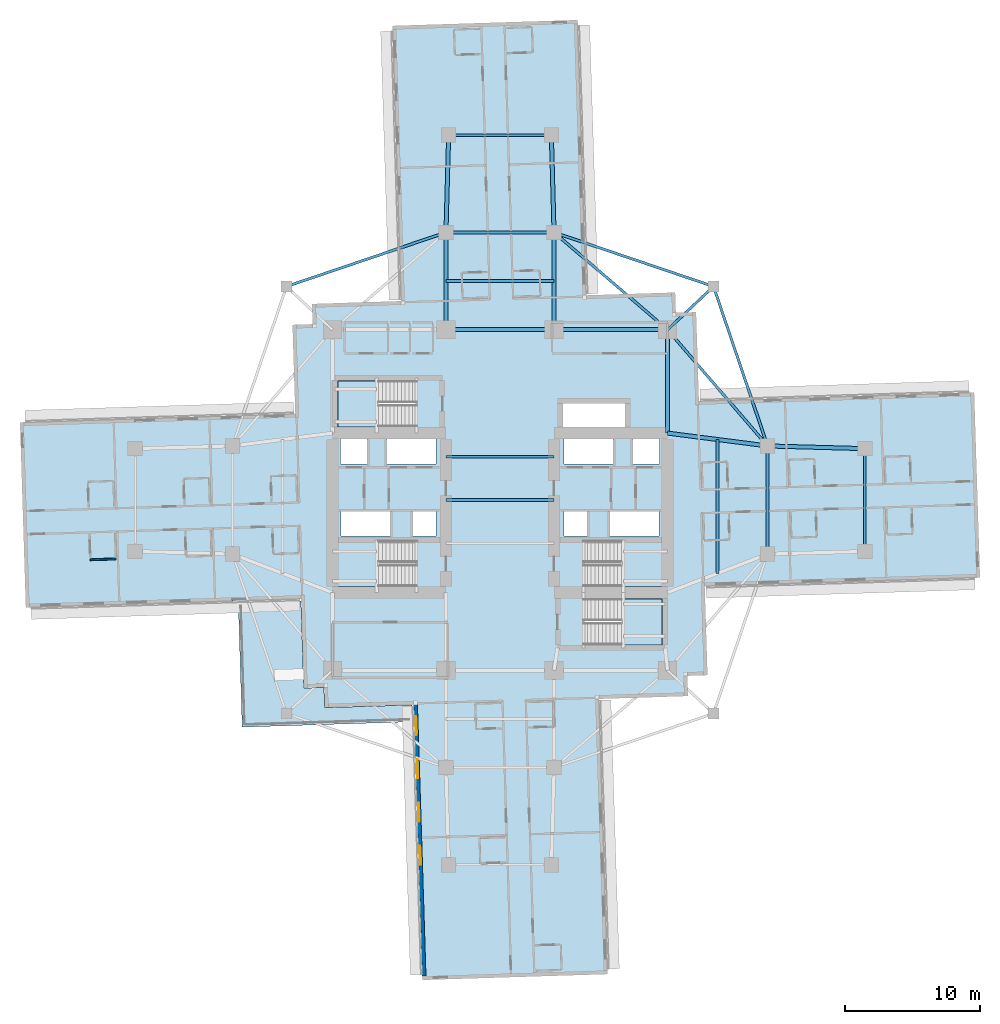
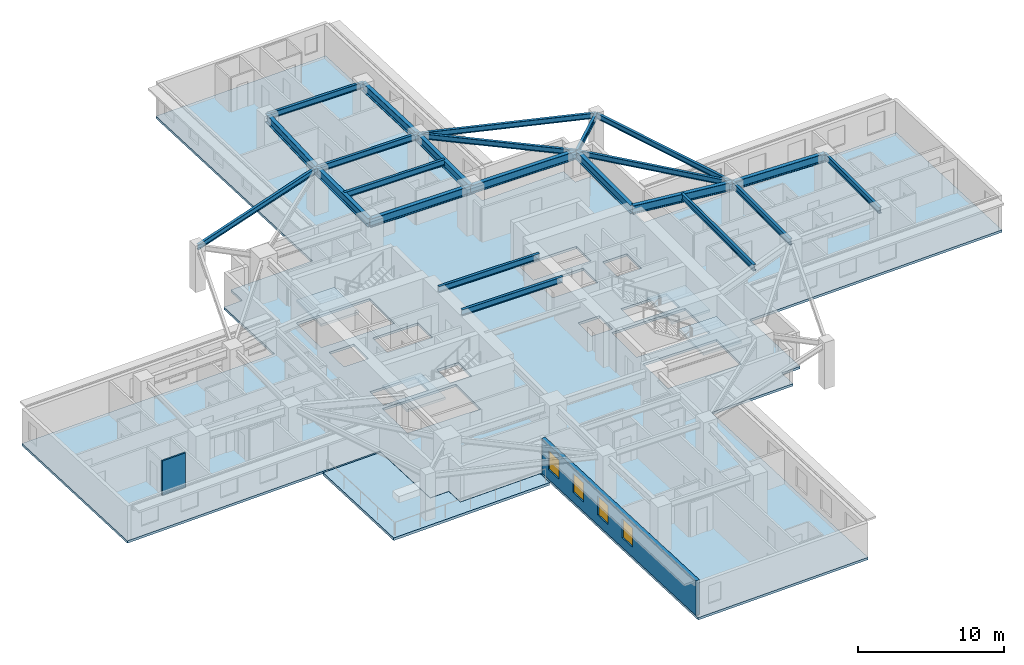
# One storey, part 2 of 14: 23 beams, 6 slabs, 4 windows, 2 walls, 4 openings, 4 elements without a shape of their own.
"""IFC4 building model written with IfcOpenShell, lengths in metres."""

from ifc_helpers import new_model, si_unit, direction, frame, frame_2d, origin, origin_2d, place, context, subcontext, project, spatial, polyline, rectangle, i_section, outline, extrude, material, layer, layer_set, material_profile, profile_set, type_object, element, fill, aggregate, save


model = new_model("IFC4")

# Units and contexts
model_context = context("Model", 3, precision=1e-05, world=origin(), true_north=direction((0.0, 1.0)))
body_context = subcontext(model_context, "Body", "Model", "MODEL_VIEW")
ifc_project = project(units=[si_unit("LENGTHUNIT", "METRE"), si_unit("AREAUNIT", "SQUARE_METRE"), si_unit("VOLUMEUNIT", "CUBIC_METRE"), si_unit("PLANEANGLEUNIT", "RADIAN"), si_unit("MASSUNIT", "GRAM", prefix="KILO")], contexts=[model_context])

# Site, building, storey
site_placement = place(None, origin())
site = spatial("IfcSite", under=ifc_project, at=site_placement, CompositionType="ELEMENT")
building_placement = place(site_placement, origin())
building = spatial("IfcBuilding", under=site, at=building_placement, Name="Qingluan Cross Belvedere", CompositionType="ELEMENT")
storey_placement = place(building_placement, frame((0.0, 0.0, 56.10009765625)))
storey = spatial("IfcBuildingStorey", under=building, at=storey_placement, Name="L14", CompositionType="ELEMENT", Elevation=56.10009765625)

# Beams
ifc_material_1 = material(Name="Steel Q420GJB", Category="steel")
ifc_material_profile_1 = material_profile(ifc_material_1, i_section(OverallWidth=0.199951171875, OverallDepth=0.449951171875, WebThickness=0.009033203125, FlangeThickness=0.013916015625, FilletRadius=0.01611328125, at=origin_2d()), Name="HN450x200x9x14")
ifc_profile_set_1 = profile_set([ifc_material_profile_1], Name="Steel Q420GJB")
beam_type_1 = type_object("IfcBeamType", Name="Steel_Beam_HN450x200x9x14", PredefinedType="JOIST", material=ifc_profile_set_1)
beam_1_placement = place(storey_placement, frame((12.39990234375, 12.60009765625, 3.474853515625), z_axis=(0.728219948308, 0.685343495546, 0.0), x_axis=(-0.685343495546, 0.728219948308, 0.0)))
element("IfcBeam", 1, at=beam_1_placement, inside=storey, type_object=beam_type_1, Name="Corner beam 1 L14-RNE", PredefinedType="JOIST", context=body_context, shape_type="SweptSolid", body=[
    extrude(i_section(OverallWidth=0.199951171875, OverallDepth=0.449951171875, WebThickness=0.009033203125, FlangeThickness=0.013916015625, FilletRadius=0.01611328125, at=origin_2d()), origin(), (0.0, 0.0, 1.0), 4.669189453125),
])
for number, where, z_axis, x_axis, name in (
    (2, (15.800048828125, 15.800048828125, 3.474853515625), (-0.947066283324, 0.321038089628, 0.0), (-0.321038089628, -0.947066283324, 0.0), "Corner beam 2 L14-RNE"),
    (3, (15.800048828125, 15.800048828125, 3.474853515625), (0.321038089628, -0.947066283324, 0.0), (0.947066283324, 0.321038089628, 0.0), "Corner beam 3 L14-RNE"),
):
    element("IfcBeam", number, at=place(storey_placement, frame(where, z_axis=z_axis, x_axis=x_axis)), inside=storey, type_object=beam_type_1, Name=name, PredefinedType="JOIST", context=body_context, shape_type="SweptSolid", body=[
        extrude(i_section(OverallWidth=0.199951171875, OverallDepth=0.449951171875, WebThickness=0.009033203125, FlangeThickness=0.013916015625, FilletRadius=0.01611328125, at=origin_2d()), origin(), (0.0, 0.0, 1.0), 12.45947265625),
    ])
beam_2_placement = place(storey_placement, frame((12.39990234375, 12.60009765625, 3.474853515625), z_axis=(0.652245077546, -0.75800815221, 0.0), x_axis=(0.75800815221, 0.652245077546, 0.0)))
element("IfcBeam", 4, at=beam_2_placement, inside=storey, type_object=beam_type_1, Name="Corner beam 4 L14-RNE", PredefinedType="JOIST", context=body_context, shape_type="SweptSolid", body=[
    extrude(i_section(OverallWidth=0.199951171875, OverallDepth=0.449951171875, WebThickness=0.009033203125, FlangeThickness=0.013916015625, FilletRadius=0.01611328125, at=origin_2d()), origin(), (0.0, 0.0, 1.0), 11.345703125),
])
beam_3_placement = place(storey_placement, frame((12.39990234375, 12.60009765625, 3.474853515625), z_axis=(-0.759255044656, 0.650793190779, 0.0), x_axis=(-0.650793190779, -0.759255044656, 0.0)))
element("IfcBeam", 5, at=beam_3_placement, inside=storey, type_object=beam_type_1, Name="Corner beam 5 L14-RNE", PredefinedType="JOIST", context=body_context, shape_type="SweptSolid", body=[
    extrude(i_section(OverallWidth=0.199951171875, OverallDepth=0.449951171875, WebThickness=0.009033203125, FlangeThickness=0.013916015625, FilletRadius=0.01611328125, at=origin_2d()), origin(), (0.0, 0.0, 1.0), 11.063232421875),
])
beam_4_placement = place(storey_placement, frame((-15.800048828125, 15.800048828125, 3.474853515625), z_axis=(0.947066283324, 0.321038089628, 0.0), x_axis=(-0.321038089628, 0.947066283324, 0.0)))
element("IfcBeam", 6, at=beam_4_placement, inside=storey, type_object=beam_type_1, Name="Corner beam 2 L14-RNW", PredefinedType="JOIST", context=body_context, shape_type="SweptSolid", body=[
    extrude(i_section(OverallWidth=0.199951171875, OverallDepth=0.449951171875, WebThickness=0.009033203125, FlangeThickness=0.013916015625, FilletRadius=0.01611328125, at=origin_2d()), origin(), (0.0, 0.0, 1.0), 12.45947265625),
])
ifc_material_2 = material(Name="Steel Q420GJB", Category="steel")
ifc_material_profile_2 = material_profile(ifc_material_2, i_section(OverallWidth=0.199951171875, OverallDepth=0.5, WebThickness=0.010009765625, FlangeThickness=0.01611328125, FilletRadius=0.01611328125, at=origin_2d()), Name="HN500x200x10x16")
ifc_profile_set_2 = profile_set([ifc_material_profile_2], Name="Steel Q420GJB")
beam_type_2 = type_object("IfcBeamType", Name="Steel_Beam_HN500x200x10x16", PredefinedType="JOIST", material=ifc_profile_set_2)
for number, where, z_axis, x_axis, name in (
    (7, (-4.0, 0.0, 3.449951171875), (1.0, 0.0, 0.0), (0.0, 1.0, 0.0), "Hall beam L14-CH2"),
    (8, (-4.0, 3.199951171875, 3.449951171875), (1.0, 0.0, 0.0), (0.0, 1.0, 0.0), "Hall beam L14-CH3"),
    (9, (19.800048828125, -4.0, 3.449951171875), (0.0, 1.0, 0.0), (-1.0, 0.0, 0.0), "Arm E tie L14"),
):
    element("IfcBeam", number, at=place(storey_placement, frame(where, z_axis=z_axis, x_axis=x_axis)), inside=storey, type_object=beam_type_2, Name=name, PredefinedType="JOIST", context=body_context, shape_type="SweptSolid", body=[
        extrude(i_section(OverallWidth=0.199951171875, OverallDepth=0.5, WebThickness=0.010009765625, FlangeThickness=0.01611328125, FilletRadius=0.01611328125, at=origin_2d()), origin(), (0.0, 0.0, 1.0), 8.0),
    ])
beam_5_placement = place(storey_placement, frame((16.10009765625, -5.425048828125, 3.449951171875), z_axis=(0.0, 1.0, 0.0), x_axis=(-1.0, 0.0, 0.0)))
element("IfcBeam", 10, at=beam_5_placement, inside=storey, type_object=beam_type_2, Name="Arm E beam L14", PredefinedType="JOIST", context=body_context, shape_type="SweptSolid", body=[
    extrude(i_section(OverallWidth=0.199951171875, OverallDepth=0.5, WebThickness=0.010009765625, FlangeThickness=0.01611328125, FilletRadius=0.01611328125, at=origin_2d()), origin(), (0.0, 0.0, 1.0), 9.900146484375),
])
beam_6_placement = place(storey_placement, frame((27.0, -3.800048828125, 3.449951171875), z_axis=(0.0, 1.0, 0.0), x_axis=(-1.0, 0.0, 0.0)))
element("IfcBeam", 11, at=beam_6_placement, inside=storey, type_object=beam_type_2, Name="Arm E tip transverse beam L14", PredefinedType="JOIST", context=body_context, shape_type="SweptSolid", body=[
    extrude(i_section(OverallWidth=0.199951171875, OverallDepth=0.5, WebThickness=0.010009765625, FlangeThickness=0.01611328125, FilletRadius=0.01611328125, at=origin_2d()), origin(), (0.0, 0.0, 1.0), 7.60009765625),
])
for number, where, z_axis, x_axis, name in (
    (12, (-4.0, 19.800048828125, 3.449951171875), (1.0, 0.0, 0.0), (0.0, 1.0, 0.0), "Arm N tie L14"),
    (13, (-4.0, 16.199951171875, 3.449951171875), (1.0, 0.0, 0.0), (0.0, 1.0, 0.0), "Arm N beam L14"),
):
    element("IfcBeam", number, at=place(storey_placement, frame(where, z_axis=z_axis, x_axis=x_axis)), inside=storey, type_object=beam_type_2, Name=name, PredefinedType="JOIST", context=body_context, shape_type="SweptSolid", body=[
        extrude(i_section(OverallWidth=0.199951171875, OverallDepth=0.5, WebThickness=0.010009765625, FlangeThickness=0.01611328125, FilletRadius=0.01611328125, at=origin_2d()), origin(), (0.0, 0.0, 1.0), 8.0),
    ])
beam_7_placement = place(storey_placement, frame((-3.800048828125, 27.0, 3.449951171875), z_axis=(1.0, 0.0, 0.0), x_axis=(0.0, 1.0, 0.0)))
element("IfcBeam", 14, at=beam_7_placement, inside=storey, type_object=beam_type_2, Name="Arm N tip transverse beam L14", PredefinedType="JOIST", context=body_context, shape_type="SweptSolid", body=[
    extrude(i_section(OverallWidth=0.199951171875, OverallDepth=0.5, WebThickness=0.010009765625, FlangeThickness=0.01611328125, FilletRadius=0.01611328125, at=origin_2d()), origin(), (0.0, 0.0, 1.0), 7.60009765625),
])
ifc_material_3 = material(Name="Steel Q420GJB", Category="steel")
ifc_material_profile_3 = material_profile(ifc_material_3, i_section(OverallWidth=0.300048828125, OverallDepth=0.699951171875, WebThickness=0.014892578125, FlangeThickness=0.027099609375, FilletRadius=0.027099609375, at=origin_2d()), Name="HEB700")
ifc_profile_set_3 = profile_set([ifc_material_profile_3], Name="Steel Q420GJB")
beam_type_3 = type_object("IfcBeamType", Name="Steel_Girder_HEB700", PredefinedType="USERDEFINED", material=ifc_profile_set_3)
beam_8_placement = place(storey_placement, frame((-4.0, 12.60009765625, 3.349853515625), z_axis=(1.0, 0.0, 0.0), x_axis=(0.0, 1.0, 0.0)))
element("IfcBeam", 15, at=beam_8_placement, inside=storey, type_object=beam_type_3, Name="Hub girder L14-HG-N2", ObjectType="GIRDER", PredefinedType="USERDEFINED", context=body_context, shape_type="SweptSolid", body=[
    extrude(i_section(OverallWidth=0.300048828125, OverallDepth=0.699951171875, WebThickness=0.014892578125, FlangeThickness=0.027099609375, FilletRadius=0.027099609375, at=origin_2d()), origin(), (0.0, 0.0, 1.0), 8.0),
])
beam_9_placement = place(storey_placement, frame((4.0, 12.60009765625, 3.349853515625), z_axis=(1.0, 0.0, 0.0), x_axis=(0.0, 1.0, 0.0)))
element("IfcBeam", 16, at=beam_9_placement, inside=storey, type_object=beam_type_3, Name="Hub girder L14-HG-N3", ObjectType="GIRDER", PredefinedType="USERDEFINED", context=body_context, shape_type="SweptSolid", body=[
    extrude(i_section(OverallWidth=0.300048828125, OverallDepth=0.699951171875, WebThickness=0.014892578125, FlangeThickness=0.027099609375, FilletRadius=0.027099609375, at=origin_2d()), origin(), (0.0, 0.0, 1.0), 8.39990234375),
])
beam_10_placement = place(storey_placement, frame((12.39990234375, 4.949951171875, 3.349853515625), z_axis=(0.0, 1.0, 0.0), x_axis=(-1.0, 0.0, 0.0)))
element("IfcBeam", 17, at=beam_10_placement, inside=storey, type_object=beam_type_3, Name="Hub girder L14-HG-E2", ObjectType="GIRDER", PredefinedType="USERDEFINED", context=body_context, shape_type="SweptSolid", body=[
    extrude(i_section(OverallWidth=0.300048828125, OverallDepth=0.699951171875, WebThickness=0.014892578125, FlangeThickness=0.027099609375, FilletRadius=0.027099609375, at=origin_2d()), origin(), (0.0, 0.0, 1.0), 7.650146484375),
])
beam_11_placement = place(storey_placement, frame((12.39990234375, 4.949951171875, 3.349853515625), z_axis=(0.991861120628, -0.12732445714, 0.0), x_axis=(0.12732445714, 0.991861120628, 0.0)))
element("IfcBeam", 18, at=beam_11_placement, inside=storey, type_object=beam_type_3, Name="Arm E radial girder B L14", ObjectType="GIRDER", PredefinedType="USERDEFINED", context=body_context, shape_type="SweptSolid", body=[
    extrude(i_section(OverallWidth=0.300048828125, OverallDepth=0.699951171875, WebThickness=0.014892578125, FlangeThickness=0.027099609375, FilletRadius=0.027099609375, at=origin_2d()), origin(), (0.0, 0.0, 1.0), 7.4609375),
])
beam_12_placement = place(storey_placement, frame((19.800048828125, 4.0, 3.349853515625), z_axis=(0.999614603568, -0.027760481514, 0.0), x_axis=(0.027760481514, 0.999614603568, 0.0)))
element("IfcBeam", 19, at=beam_12_placement, inside=storey, type_object=beam_type_3, Name="Arm E outer radial girder B L14", ObjectType="GIRDER", PredefinedType="USERDEFINED", context=body_context, shape_type="SweptSolid", body=[
    extrude(i_section(OverallWidth=0.300048828125, OverallDepth=0.699951171875, WebThickness=0.014892578125, FlangeThickness=0.027099609375, FilletRadius=0.027099609375, at=origin_2d()), origin(), (0.0, 0.0, 1.0), 7.20263671875),
])
for number, where, z_axis, x_axis, name in (
    (20, (-4.0, 12.60009765625, 3.349853515625), (0.0, 1.0, 0.0), (-1.0, 0.0, 0.0), "Arm N radial girder A L14"),
    (21, (4.0, 12.60009765625, 3.349853515625), (0.0, 1.0, 0.0), (-1.0, 0.0, 0.0), "Arm N radial girder B L14"),
):
    element("IfcBeam", number, at=place(storey_placement, frame(where, z_axis=z_axis, x_axis=x_axis)), inside=storey, type_object=beam_type_3, Name=name, ObjectType="GIRDER", PredefinedType="USERDEFINED", context=body_context, shape_type="SweptSolid", body=[
        extrude(i_section(OverallWidth=0.300048828125, OverallDepth=0.699951171875, WebThickness=0.014892578125, FlangeThickness=0.027099609375, FilletRadius=0.027099609375, at=origin_2d()), origin(), (0.0, 0.0, 1.0), 7.199951171875),
    ])
for number, where, z_axis, x_axis, name in (
    (22, (-4.0, 19.800048828125, 3.349853515625), (0.027760481514, 0.999614603568, 0.0), (-0.999614603568, 0.027760481514, 0.0), "Arm N outer radial girder A L14"),
    (23, (4.0, 19.800048828125, 3.349853515625), (-0.027760481514, 0.999614603568, 0.0), (-0.999614603568, -0.027760481514, 0.0), "Arm N outer radial girder B L14"),
):
    element("IfcBeam", number, at=place(storey_placement, frame(where, z_axis=z_axis, x_axis=x_axis)), inside=storey, type_object=beam_type_3, Name=name, ObjectType="GIRDER", PredefinedType="USERDEFINED", context=body_context, shape_type="SweptSolid", body=[
        extrude(i_section(OverallWidth=0.300048828125, OverallDepth=0.699951171875, WebThickness=0.014892578125, FlangeThickness=0.027099609375, FilletRadius=0.027099609375, at=origin_2d()), origin(), (0.0, 0.0, 1.0), 7.20263671875),
    ])

# Slab
ifc_material_4 = material(Name="Concrete C40", Category="concrete")
ifc_layer_1 = layer(ifc_material_4, 0.199951171875, Name="FloorSlab_200")
ifc_layer_set_1 = layer_set([ifc_layer_1], Name="Concrete C40")
slab_type_1 = type_object("IfcSlabType", Name="FloorSlab_200", PredefinedType="FLOOR", material=ifc_layer_set_1)
slab_1_placement = place(storey_placement, frame((0.0, 0.0, -0.2001953125)))
element("IfcSlab", 24, at=slab_1_placement, inside=storey, type_object=slab_type_1, Name="Structural floor slab L14", PredefinedType="FLOOR", context=body_context, shape_type="SweptSolid", body=[
    extrude(outline(polyline([(7.966064453125, -35.087158203125), (7.325927734375, -14.71728515625), (13.902587890625, -14.510498046875), (13.85546875, -13.01123046875), (15.354736328125, -12.964111328125), (15.148193359375, -6.38720703125), (35.51806640625, -5.747314453125), (35.087158203125, 7.966064453125), (14.71728515625, 7.325927734375), (14.510498046875, 13.902587890625), (13.01123046875, 13.85546875), (12.964111328125, 15.354736328125), (6.38720703125, 15.148193359375), (5.747314453125, 35.51806640625), (-7.966064453125, 35.087158203125), (-7.325927734375, 14.71728515625), (-13.902587890625, 14.510498046875), (-13.85546875, 13.01123046875), (-15.354736328125, 12.964111328125), (-15.148193359375, 6.38720703125), (-35.51806640625, 5.747314453125), (-35.087158203125, -7.966064453125), (-14.71728515625, -7.325927734375), (-14.510498046875, -13.902587890625), (-13.01123046875, -13.85546875), (-12.964111328125, -15.354736328125), (-6.38720703125, -15.148193359375), (-5.747314453125, -35.51806640625), (7.966064453125, -35.087158203125)]), holes=[polyline([(-12.0, -3.0), (-6.179931640625, -3.0), (-6.179931640625, -6.39990234375), (-12.0, -6.39990234375), (-12.0, -3.0)]), polyline([(6.179931640625, -3.0), (12.0, -3.0), (12.0, -6.39990234375), (6.179931640625, -6.39990234375), (6.179931640625, -3.0)]), polyline([(-12.0, 8.820068359375), (-6.179931640625, 8.820068359375), (-6.179931640625, 5.419921875), (-12.0, 5.419921875), (-12.0, 8.820068359375)]), polyline([(6.179931640625, -7.320068359375), (12.0, -7.320068359375), (12.0, -10.719970703125), (6.179931640625, -10.719970703125), (6.179931640625, -7.320068359375)]), polyline([(-11.800048828125, 4.64990234375), (-9.85009765625, 4.64990234375), (-9.85009765625, 2.64990234375), (-11.800048828125, 2.64990234375), (-11.800048828125, 4.64990234375)]), polyline([(-8.35009765625, 4.64990234375), (-4.75, 4.64990234375), (-4.75, 2.64990234375), (-8.35009765625, 2.64990234375), (-8.35009765625, 4.64990234375)]), polyline([(4.75, 4.64990234375), (8.35009765625, 4.64990234375), (8.35009765625, 2.64990234375), (4.75, 2.64990234375), (4.75, 4.64990234375)]), polyline([(9.85009765625, 4.64990234375), (11.800048828125, 4.64990234375), (11.800048828125, 2.64990234375), (9.85009765625, 2.64990234375), (9.85009765625, 4.64990234375)]), polyline([(-11.75, -0.840087890625), (-8.14990234375, -0.840087890625), (-8.14990234375, -2.659912109375), (-11.75, -2.659912109375), (-11.75, -0.840087890625)]), polyline([(-6.449951171875, -0.840087890625), (-4.75, -0.840087890625), (-4.75, -2.659912109375), (-6.449951171875, -2.659912109375), (-6.449951171875, -0.840087890625)]), polyline([(4.75, -0.840087890625), (6.449951171875, -0.840087890625), (6.449951171875, -2.659912109375), (4.75, -2.659912109375), (4.75, -0.840087890625)]), polyline([(8.14990234375, -0.840087890625), (11.75, -0.840087890625), (11.75, -2.659912109375), (8.14990234375, -2.659912109375), (8.14990234375, -0.840087890625)]), polyline([(4.64990234375, 7.14990234375), (9.25, 7.14990234375), (9.25, 5.14990234375), (4.64990234375, 5.14990234375), (4.64990234375, 7.14990234375)])]), origin(), (0.0, 0.0, 1.0), 0.2001953125),
])

# Stair, slab
ifc_material_5 = material(Name="Concrete C40", Category="concrete")
stair_type = type_object("IfcStairType", Name="CoreDoglegStair_1620", PredefinedType="HALF_TURN_STAIR", material=ifc_material_5)
stair_1_placement = place(storey_placement, origin())
stair_1 = element("IfcStair", 25, at=stair_1_placement, inside=storey, type_object=stair_type, Name="L14 ST1", PredefinedType="HALF_TURN_STAIR")
ifc_material_6 = material(Name="Concrete C40", Category="concrete")
ifc_layer_2 = layer(ifc_material_6, 0.179931640625, Name="StairLandingSlab_180")
ifc_layer_set_2 = layer_set([ifc_layer_2], Name="Concrete C40")
slab_type_2 = type_object("IfcSlabType", Name="StairLandingSlab_180", PredefinedType="LANDING", material=ifc_layer_set_2)
slab_2_placement = place(storey_placement, frame((0.0, 0.0, 1.75)))
slab_2 = element("IfcSlab", 26, at=slab_2_placement, type_object=slab_type_2, Name="ST1 landing 1", PredefinedType="LANDING", context=body_context, shape_type="SweptSolid", body=[
    extrude(outline(polyline([(-8.97998046875, -3.0), (-12.0, -3.0), (-12.0, -6.39990234375), (-8.97998046875, -6.39990234375), (-8.97998046875, -3.0)])), origin(), (0.0, 0.0, 1.0), 0.199951171875),
])
aggregate(stair_1, [slab_2])

stair_2_placement = place(storey_placement, origin())
stair_2 = element("IfcStair", 27, at=stair_2_placement, inside=storey, type_object=stair_type, Name="L14 ST2", PredefinedType="HALF_TURN_STAIR")
slab_3_placement = place(storey_placement, frame((0.0, 0.0, 1.75)))
slab_3 = element("IfcSlab", 28, at=slab_3_placement, type_object=slab_type_2, Name="ST2 landing 1", PredefinedType="LANDING", context=body_context, shape_type="SweptSolid", body=[
    extrude(outline(polyline([(8.97998046875, -6.39990234375), (12.0, -6.39990234375), (12.0, -3.0), (8.97998046875, -3.0), (8.97998046875, -6.39990234375)])), origin(), (0.0, 0.0, 1.0), 0.199951171875),
])
aggregate(stair_2, [slab_3])

stair_3_placement = place(storey_placement, origin())
stair_3 = element("IfcStair", 29, at=stair_3_placement, inside=storey, type_object=stair_type, Name="L14 ST3", PredefinedType="HALF_TURN_STAIR")
slab_4_placement = place(storey_placement, frame((0.0, 0.0, 1.75)))
slab_4 = element("IfcSlab", 30, at=slab_4_placement, type_object=slab_type_2, Name="ST3 landing 1", PredefinedType="LANDING", context=body_context, shape_type="SweptSolid", body=[
    extrude(outline(polyline([(-8.97998046875, 8.820068359375), (-12.0, 8.820068359375), (-12.0, 5.419921875), (-8.97998046875, 5.419921875), (-8.97998046875, 8.820068359375)])), origin(), (0.0, 0.0, 1.0), 0.199951171875),
])
aggregate(stair_3, [slab_4])

stair_4_placement = place(storey_placement, origin())
stair_4 = element("IfcStair", 31, at=stair_4_placement, inside=storey, type_object=stair_type, Name="L14 ST4", PredefinedType="HALF_TURN_STAIR")
slab_5_placement = place(storey_placement, frame((0.0, 0.0, 1.75)))
slab_5 = element("IfcSlab", 32, at=slab_5_placement, type_object=slab_type_2, Name="ST4 landing 1", PredefinedType="LANDING", context=body_context, shape_type="SweptSolid", body=[
    extrude(outline(polyline([(8.97998046875, -10.719970703125), (12.0, -10.719970703125), (12.0, -7.320068359375), (8.97998046875, -7.320068359375), (8.97998046875, -10.719970703125)])), origin(), (0.0, 0.0, 1.0), 0.199951171875),
])
aggregate(stair_4, [slab_5])

# Slab
ifc_material_7 = material(Name="Concrete C40", Category="concrete")
ifc_layer_3 = layer(ifc_material_7, 0.219970703125, Name="TerraceSlab_220")
ifc_layer_set_3 = layer_set([ifc_layer_3], Name="Concrete C40")
slab_type_3 = type_object("IfcSlabType", Name="TerraceSlab_220", PredefinedType="FLOOR", material=ifc_layer_set_3)
slab_6_placement = place(storey_placement, frame((0.0, 0.0, -0.22021484375)))
element("IfcSlab", 33, at=slab_6_placement, inside=storey, type_object=slab_type_3, Name="Spiralling winter-garden terrace slab L14", PredefinedType="FLOOR", context=body_context, shape_type="SweptSolid", body=[
    extrude(outline(polyline([(-6.527099609375, -15.16259765625), (-12.969482421875, -15.36328125), (-13.02099609375, -13.86572265625), (-14.51025390625, -13.91259765625), (-14.520263671875, -13.90478515625), (-14.72265625, -7.466064453125), (-19.37060546875, -7.6123046875), (-19.08154296875, -16.8076171875), (-6.48779296875, -16.411865234375), (-6.527099609375, -15.16259765625)])), origin(), (0.0, 0.0, 1.0), 0.22021484375),
])

# Wall
ifc_material_8 = material(Name="Moisture-resistant gypsum board lining")
ifc_layer_4 = layer(ifc_material_8, 0.1201171875, Name="EnsuiteWetPartition_120")
ifc_layer_set_4 = layer_set([ifc_layer_4], Name="Moisture-resistant gypsum board lining")
wall_type_1 = type_object("IfcWallType", Name="EnsuiteWetPartition_120", PredefinedType="PARTITIONING", material=ifc_layer_set_4)
wall_1_placement = place(storey_placement, frame((-28.427001953125, -4.360107421875, 0.0), z_axis=(0.0, 0.0, 1.0), x_axis=(-0.999506103526, -0.031425292588, 0.0)))
element("IfcWall", 34, at=wall_1_placement, inside=storey, type_object=wall_type_1, Name="Partition L14:W:bc1_2", PredefinedType="PARTITIONING", context=body_context, shape_type="SweptSolid", body=[
    extrude(rectangle(XDim=1.880126953125, YDim=0.1201171875, at=frame_2d((0.93994140625, 0.0))), origin(), (0.0, 0.0, 1.0), 2.89990234375),
])

# Wall, openings, windows
ifc_material_9 = material(Name="Precast concrete C45", Category="concrete")
ifc_layer_5 = layer(ifc_material_9, 0.280029296875, Name="PrecastFacadeWall_280")
ifc_layer_set_5 = layer_set([ifc_layer_5], Name="Precast concrete C45")
wall_type_2 = type_object("IfcWallType", Name="PrecastFacadeWall_280", PredefinedType="STANDARD", material=ifc_layer_set_5)
wall_2_placement = place(storey_placement, frame((-6.247314453125, -15.143798828125, 0.0), z_axis=(0.0, 0.0, 1.0), x_axis=(0.031398187845, -0.999506955354, 0.0)))
wall_2 = element("IfcWall", 35, at=wall_2_placement, inside=storey, type_object=wall_type_2, Name="Facade wall L14-SA", PredefinedType="STANDARD", context=body_context, shape_type="SweptSolid", body=[
    extrude(rectangle(XDim=20.10009765625, YDim=0.280029296875, at=frame_2d((10.050048828125, 0.0))), origin(), (0.0, 0.0, 1.0), 2.909912109375),
])
opening_1_placement = place(wall_2_placement, frame((0.85009765625, 0.0, 0.800048828125)))
opening_1 = element("IfcOpeningElement", 36, at=opening_1_placement, cuts=wall_2, Name="Opening W-01", PredefinedType="OPENING", context=body_context, shape_type="SweptSolid", body=[
    extrude(rectangle(XDim=1.39990234375, YDim=1.60009765625, at=frame_2d((0.699951171875, 0.800048828125))), frame((0.0, 0.14990234375, 0.0), z_axis=(0.0, -1.0, 0.0), x_axis=(1.0, 0.0, 0.0)), (0.0, 0.0, 1.0), 0.300048828125),
])
opening_2_placement = place(wall_2_placement, frame((4.050048828125, 0.0, 0.800048828125)))
opening_2 = element("IfcOpeningElement", 37, at=opening_2_placement, cuts=wall_2, Name="Opening W-01", PredefinedType="OPENING", context=body_context, shape_type="SweptSolid", body=[
    extrude(rectangle(XDim=1.39990234375, YDim=1.60009765625, at=frame_2d((0.699951171875, 0.800048828125))), frame((0.0, 0.14990234375, 0.0), z_axis=(0.0, -1.0, 0.0), x_axis=(1.0, 0.0, 0.0)), (0.0, 0.0, 1.0), 0.300048828125),
])
opening_3_placement = place(wall_2_placement, frame((7.25, 0.0, 0.800048828125)))
opening_3 = element("IfcOpeningElement", 38, at=opening_3_placement, cuts=wall_2, Name="Opening W-01", PredefinedType="OPENING", context=body_context, shape_type="SweptSolid", body=[
    extrude(rectangle(XDim=1.39990234375, YDim=1.60009765625, at=frame_2d((0.699951171875, 0.800048828125))), frame((0.0, 0.14990234375, 0.0), z_axis=(0.0, -1.0, 0.0), x_axis=(1.0, 0.0, 0.0)), (0.0, 0.0, 1.0), 0.300048828125),
])
opening_4_placement = place(wall_2_placement, frame((10.449951171875, 0.0, 0.800048828125)))
opening_4 = element("IfcOpeningElement", 39, at=opening_4_placement, cuts=wall_2, Name="Opening W-01", PredefinedType="OPENING", context=body_context, shape_type="SweptSolid", body=[
    extrude(rectangle(XDim=1.39990234375, YDim=1.60009765625, at=frame_2d((0.699951171875, 0.800048828125))), frame((0.0, 0.14990234375, 0.0), z_axis=(0.0, -1.0, 0.0), x_axis=(1.0, 0.0, 0.0)), (0.0, 0.0, 1.0), 0.300048828125),
])
ifc_material_10 = material(Name="Thermally broken triple Low-E glass in aluminium frame", Category="aluminium")
window_type = type_object("IfcWindowType", Name="TriRibbonWin_1400x1600", PartitioningType="SINGLE_PANEL", PredefinedType="WINDOW", material=ifc_material_10)
window_1_placement = place(opening_1_placement, origin())
window_1 = element("IfcWindow", 40, at=window_1_placement, inside=storey, type_object=window_type, Name="Ribbon window L14-SA-1", OverallHeight=1.60009765625, OverallWidth=1.39990234375, PartitioningType="SINGLE_PANEL", PredefinedType="WINDOW", context=body_context, shape_type="SweptSolid", body=[
    extrude(rectangle(XDim=1.39990234375, YDim=1.60009765625, at=frame_2d((0.699951171875, 0.800048828125))), frame((0.0, 0.030029296875, 0.0), z_axis=(0.0, -1.0, 0.0), x_axis=(1.0, 0.0, 0.0)), (0.0, 0.0, 1.0), 0.06005859375),
])
fill(opening_1, window_1)
window_2_placement = place(opening_2_placement, origin())
window_2 = element("IfcWindow", 41, at=window_2_placement, inside=storey, type_object=window_type, Name="Ribbon window L14-SA-2", OverallHeight=1.60009765625, OverallWidth=1.39990234375, PartitioningType="SINGLE_PANEL", PredefinedType="WINDOW", context=body_context, shape_type="SweptSolid", body=[
    extrude(rectangle(XDim=1.39990234375, YDim=1.60009765625, at=frame_2d((0.699951171875, 0.800048828125))), frame((0.0, 0.030029296875, 0.0), z_axis=(0.0, -1.0, 0.0), x_axis=(1.0, 0.0, 0.0)), (0.0, 0.0, 1.0), 0.06005859375),
])
fill(opening_2, window_2)
window_3_placement = place(opening_3_placement, origin())
window_3 = element("IfcWindow", 42, at=window_3_placement, inside=storey, type_object=window_type, Name="Ribbon window L14-SA-3", OverallHeight=1.60009765625, OverallWidth=1.39990234375, PartitioningType="SINGLE_PANEL", PredefinedType="WINDOW", context=body_context, shape_type="SweptSolid", body=[
    extrude(rectangle(XDim=1.39990234375, YDim=1.60009765625, at=frame_2d((0.699951171875, 0.800048828125))), frame((0.0, 0.030029296875, 0.0), z_axis=(0.0, -1.0, 0.0), x_axis=(1.0, 0.0, 0.0)), (0.0, 0.0, 1.0), 0.06005859375),
])
fill(opening_3, window_3)
window_4_placement = place(opening_4_placement, origin())
window_4 = element("IfcWindow", 43, at=window_4_placement, inside=storey, type_object=window_type, Name="Ribbon window L14-SA-4", OverallHeight=1.60009765625, OverallWidth=1.39990234375, PartitioningType="SINGLE_PANEL", PredefinedType="WINDOW", context=body_context, shape_type="SweptSolid", body=[
    extrude(rectangle(XDim=1.39990234375, YDim=1.60009765625, at=frame_2d((0.699951171875, 0.800048828125))), frame((0.0, 0.030029296875, 0.0), z_axis=(0.0, -1.0, 0.0), x_axis=(1.0, 0.0, 0.0)), (0.0, 0.0, 1.0), 0.06005859375),
])
fill(opening_4, window_4)

save(model, "model.ifc")
